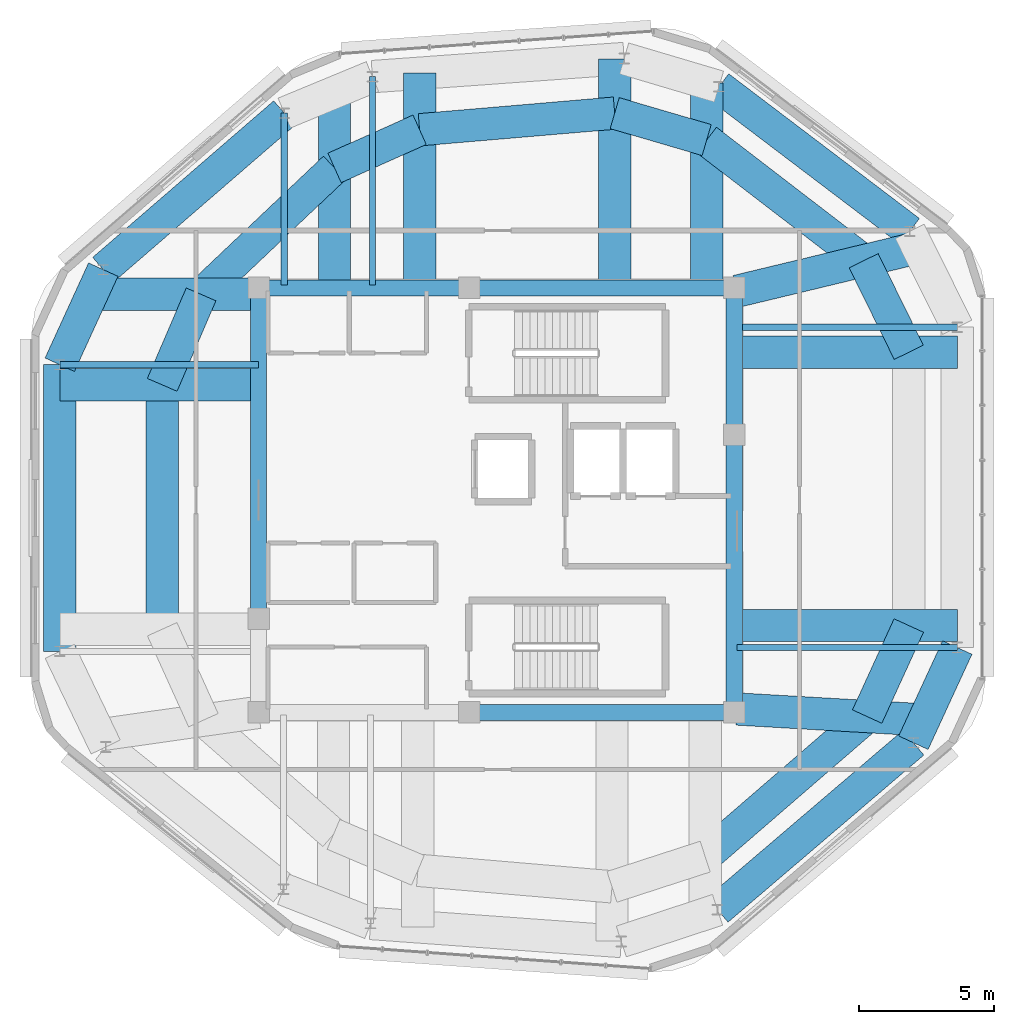
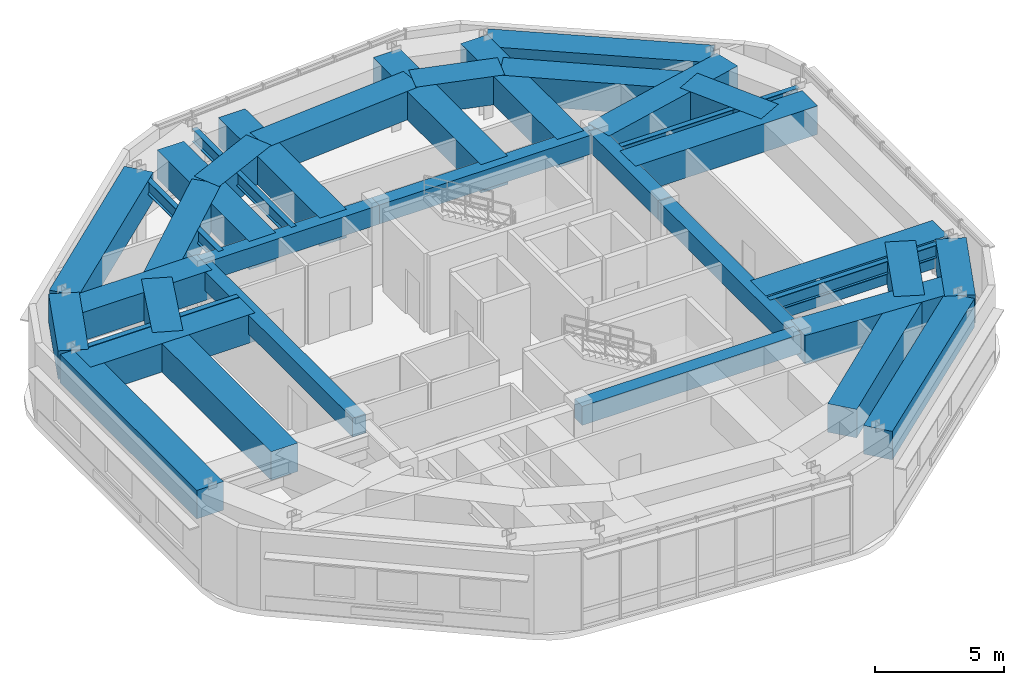
# One storey, part 5 of 12: 37 beams.
"""IFC4 building model written with IfcOpenShell, lengths in metres."""

from ifc_helpers import new_model, si_unit, direction, frame, origin, origin_2d, place, context, subcontext, project, spatial, rectangle, i_section, extrude, material, material_profile, profile_set, type_object, element, save


model = new_model("IFC4")

# Units and contexts
model_context = context("Model", 3, precision=1e-05, world=origin(), true_north=direction((0.0, 1.0)))
body_context = subcontext(model_context, "Body", "Model", "MODEL_VIEW")
ifc_project = project(units=[si_unit("LENGTHUNIT", "METRE"), si_unit("AREAUNIT", "SQUARE_METRE"), si_unit("VOLUMEUNIT", "CUBIC_METRE"), si_unit("PLANEANGLEUNIT", "RADIAN"), si_unit("MASSUNIT", "GRAM", prefix="KILO")], contexts=[model_context])

# Site, building, storey
site_placement = place(None, origin())
site = spatial("IfcSite", under=ifc_project, at=site_placement, CompositionType="ELEMENT")
building_placement = place(site_placement, origin())
building = spatial("IfcBuilding", under=site, at=building_placement, Name="Zulverin Broadcast Headquarters", CompositionType="ELEMENT")
storey_placement = place(building_placement, frame((0.0, 0.0, 325.39990234375)))
storey = spatial("IfcBuildingStorey", under=building, at=storey_placement, Name="C4", CompositionType="ELEMENT", Elevation=325.39990234375)

# Beams
ifc_material_1 = material(Name="Concrete C60/75", Category="concrete")
ifc_material_profile_1 = material_profile(ifc_material_1, rectangle(XDim=0.60009765625, YDim=0.89990234375, at=origin_2d()), Name="Concrete C60/75", Category="concrete")
ifc_profile_set_1 = profile_set([ifc_material_profile_1], Name="Concrete C60/75")
beam_type_1 = type_object("IfcBeamType", Name="BM-CB-600x900", PredefinedType="LINTEL", material=ifc_profile_set_1)
beam_1_placement = place(storey_placement, frame((38.449951171875, 17.324951171875, 3.27001953125), z_axis=(1.0, 0.0, 0.0), x_axis=(0.0, 1.0, 0.0)))
element("IfcBeam", 1, at=beam_1_placement, inside=storey, type_object=beam_type_1, Name="C4 Core Coupling Girder K02-K03", PredefinedType="LINTEL", context=body_context, shape_type="SweptSolid", body=[
    extrude(rectangle(XDim=0.60009765625, YDim=0.89990234375, at=origin_2d()), origin(), (0.0, 0.0, 1.0), 9.824951171875),
])
beam_2_placement = place(storey_placement, frame((48.27490234375, 17.324951171875, 3.27001953125), z_axis=(0.0, 1.0, 0.0), x_axis=(-1.0, 0.0, 0.0)))
element("IfcBeam", 2, at=beam_2_placement, inside=storey, type_object=beam_type_1, Name="C4 Core Coupling Girder K03-K04", PredefinedType="LINTEL", context=body_context, shape_type="SweptSolid", body=[
    extrude(rectangle(XDim=0.60009765625, YDim=0.89990234375, at=origin_2d()), origin(), (0.0, 0.0, 1.0), 10.295166015625),
])
beam_3_placement = place(storey_placement, frame((48.27490234375, 27.6201171875, 3.27001953125), z_axis=(0.0, 1.0, 0.0), x_axis=(-1.0, 0.0, 0.0)))
element("IfcBeam", 3, at=beam_3_placement, inside=storey, type_object=beam_type_1, Name="C4 Core Coupling Girder K04-K05", PredefinedType="LINTEL", context=body_context, shape_type="SweptSolid", body=[
    extrude(rectangle(XDim=0.60009765625, YDim=0.89990234375, at=origin_2d()), origin(), (0.0, 0.0, 1.0), 5.454833984375),
])
beam_4_placement = place(storey_placement, frame((48.27490234375, 33.074951171875, 3.27001953125), z_axis=(-1.0, 0.0, 0.0), x_axis=(0.0, -1.0, 0.0)))
element("IfcBeam", 4, at=beam_4_placement, inside=storey, type_object=beam_type_1, Name="C4 Core Coupling Girder K05-K06", PredefinedType="LINTEL", context=body_context, shape_type="SweptSolid", body=[
    extrude(rectangle(XDim=0.60009765625, YDim=0.89990234375, at=origin_2d()), origin(), (0.0, 0.0, 1.0), 9.824951171875),
])
beam_5_placement = place(storey_placement, frame((38.449951171875, 33.074951171875, 3.27001953125), z_axis=(-1.0, 0.0, 0.0), x_axis=(0.0, -1.0, 0.0)))
element("IfcBeam", 5, at=beam_5_placement, inside=storey, type_object=beam_type_1, Name="C4 Core Coupling Girder K06-K07", PredefinedType="LINTEL", context=body_context, shape_type="SweptSolid", body=[
    extrude(rectangle(XDim=0.60009765625, YDim=0.89990234375, at=origin_2d()), origin(), (0.0, 0.0, 1.0), 7.824951171875),
])
beam_6_placement = place(storey_placement, frame((30.625, 33.074951171875, 3.27001953125), z_axis=(0.0, -1.0, 0.0), x_axis=(1.0, 0.0, 0.0)))
element("IfcBeam", 6, at=beam_6_placement, inside=storey, type_object=beam_type_1, Name="C4 Core Coupling Girder K07-K08", PredefinedType="LINTEL", context=body_context, shape_type="SweptSolid", body=[
    extrude(rectangle(XDim=0.60009765625, YDim=0.89990234375, at=origin_2d()), origin(), (0.0, 0.0, 1.0), 12.27490234375),
])
ifc_material_2 = material(Name="Concrete C50/60", Category="concrete")
ifc_material_profile_2 = material_profile(ifc_material_2, rectangle(XDim=1.199951171875, YDim=1.35009765625, at=origin_2d()), Name="Concrete C50/60", Category="concrete")
ifc_profile_set_2 = profile_set([ifc_material_profile_2], Name="Concrete C50/60")
beam_type_2 = type_object("IfcBeamType", Name="BM-TG-CRN-1350", PredefinedType="USERDEFINED", material=ifc_profile_set_2)
beam_7_placement = place(storey_placement, frame((47.6552734375, 9.9970703125, 3.045166015625), z_axis=(0.760638685458, 0.649175469488, 0.0), x_axis=(-0.649175469488, 0.760638685458, 0.0)))
element("IfcBeam", 7, at=beam_7_placement, inside=storey, type_object=beam_type_2, Name="C4 Perimeter Transfer Ring Girder SP-03", ObjectType="TRANSFER GIRDER", PredefinedType="USERDEFINED", context=body_context, shape_type="SweptSolid", body=[
    extrude(rectangle(XDim=1.199951171875, YDim=1.35009765625, at=origin_2d()), origin(), (0.0, 0.0, 1.0), 9.552001953125),
])
beam_8_placement = place(storey_placement, frame((54.9208984375, 16.197998046875, 3.045166015625), z_axis=(0.418847206276, 0.908056726089, 0.0), x_axis=(-0.908056726089, 0.418847206276, 0.0)))
element("IfcBeam", 8, at=beam_8_placement, inside=storey, type_object=beam_type_2, Name="C4 Perimeter Transfer Ring Girder SP-04", ObjectType="TRANSFER GIRDER", PredefinedType="USERDEFINED", context=body_context, shape_type="SweptSolid", body=[
    extrude(rectangle(XDim=1.199951171875, YDim=1.35009765625, at=origin_2d()), origin(), (0.0, 0.0, 1.0), 3.8896484375),
])
beam_9_placement = place(storey_placement, frame((54.783203125, 35.1708984375, 3.045166015625), z_axis=(-0.796693096284, 0.604384075182, 0.0), x_axis=(-0.604384075182, -0.796693096284, 0.0)))
element("IfcBeam", 9, at=beam_9_placement, inside=storey, type_object=beam_type_2, Name="C4 Perimeter Transfer Ring Girder SP-07", ObjectType="TRANSFER GIRDER", PredefinedType="USERDEFINED", context=body_context, shape_type="SweptSolid", body=[
    extrude(rectangle(XDim=1.199951171875, YDim=1.35009765625, at=origin_2d()), origin(), (0.0, 0.0, 1.0), 8.8828125),
])
beam_10_placement = place(storey_placement, frame((31.581298828125, 39.558837890625, 3.045166015625), z_axis=(-0.756482279047, -0.654014190586, 0.0), x_axis=(0.654014190586, -0.756482279047, 0.0)))
element("IfcBeam", 10, at=beam_10_placement, inside=storey, type_object=beam_type_2, Name="C4 Perimeter Transfer Ring Girder SP-11", ObjectType="TRANSFER GIRDER", PredefinedType="USERDEFINED", context=body_context, shape_type="SweptSolid", body=[
    extrude(rectangle(XDim=1.199951171875, YDim=1.35009765625, at=origin_2d()), origin(), (0.0, 0.0, 1.0), 8.8798828125),
])
beam_11_placement = place(storey_placement, frame((24.86376953125, 33.751220703125, 3.045166015625), z_axis=(-0.415887631257, -0.909416009408, 0.0), x_axis=(0.909416009408, -0.415887631257, 0.0)))
element("IfcBeam", 11, at=beam_11_placement, inside=storey, type_object=beam_type_2, Name="C4 Perimeter Transfer Ring Girder SP-12", ObjectType="TRANSFER GIRDER", PredefinedType="USERDEFINED", context=body_context, shape_type="SweptSolid", body=[
    extrude(rectangle(XDim=1.199951171875, YDim=1.35009765625, at=origin_2d()), origin(), (0.0, 0.0, 1.0), 3.88037109375),
])
beam_12_placement = place(storey_placement, frame((23.25, 30.222412109375, 3.045166015625), z_axis=(0.0, -1.0, 0.0), x_axis=(1.0, 0.0, 0.0)))
element("IfcBeam", 12, at=beam_12_placement, inside=storey, type_object=beam_type_2, Name="C4 Perimeter Transfer Ring Girder SP-13", ObjectType="TRANSFER GIRDER", PredefinedType="USERDEFINED", context=body_context, shape_type="SweptSolid", body=[
    extrude(rectangle(XDim=1.199951171875, YDim=1.35009765625, at=origin_2d()), origin(), (0.0, 0.0, 1.0), 10.635009765625),
])
beam_13_placement = place(storey_placement, frame((47.196044921875, 11.973388671875, 3.045166015625), z_axis=(0.756481523052, 0.654015065026, 0.0), x_axis=(-0.654015065026, 0.756481523052, 0.0)))
element("IfcBeam", 13, at=beam_13_placement, inside=storey, type_object=beam_type_2, Name="C5 Step Transfer Ring Girder TGR-03", ObjectType="TRANSFER GIRDER", PredefinedType="USERDEFINED", context=body_context, shape_type="SweptSolid", body=[
    extrude(rectangle(XDim=1.199951171875, YDim=1.35009765625, at=origin_2d()), origin(), (0.0, 0.0, 1.0), 7.943603515625),
])
beam_14_placement = place(storey_placement, frame((48.375, 17.449951171875, 3.045166015625), z_axis=(0.998310048383, -0.058112367848, 0.0), x_axis=(0.058112367848, 0.998310048383, 0.0)))
element("IfcBeam", 14, at=beam_14_placement, inside=storey, type_object=beam_type_2, Name="C5 Step Transfer Girder TG-04", ObjectType="TRANSFER GIRDER", PredefinedType="USERDEFINED", context=body_context, shape_type="SweptSolid", body=[
    extrude(rectangle(XDim=1.199951171875, YDim=1.35009765625, at=origin_2d()), origin(), (0.0, 0.0, 1.0), 6.94873046875),
])
beam_15_placement = place(storey_placement, frame((53.205322265625, 17.168701171875, 3.045166015625), z_axis=(0.41591666127, 0.90940273305, 0.0), x_axis=(-0.90940273305, 0.41591666127, 0.0)))
element("IfcBeam", 15, at=beam_15_placement, inside=storey, type_object=beam_type_2, Name="C5 Step Transfer Ring Girder TGR-04", ObjectType="TRANSFER GIRDER", PredefinedType="USERDEFINED", context=body_context, shape_type="SweptSolid", body=[
    extrude(rectangle(XDim=1.199951171875, YDim=1.35009765625, at=origin_2d()), origin(), (0.0, 0.0, 1.0), 3.7138671875),
])
for number, where, z_axis, x_axis, name in (
    (16, (48.375, 20.546142578125, 3.045166015625), (1.0, 0.0, 0.0), (0.0, 1.0, 0.0), "C5 Step Transfer Girder TG-05"),
    (17, (48.375, 30.683837890625, 3.045166015625), (1.0, 0.0, 0.0), (0.0, 1.0, 0.0), "C5 Step Transfer Girder TG-06"),
):
    element("IfcBeam", number, at=place(storey_placement, frame(where, z_axis=z_axis, x_axis=x_axis)), inside=storey, type_object=beam_type_2, Name=name, ObjectType="TRANSFER GIRDER", PredefinedType="USERDEFINED", context=body_context, shape_type="SweptSolid", body=[
        extrude(rectangle(XDim=1.199951171875, YDim=1.35009765625, at=origin_2d()), origin(), (0.0, 0.0, 1.0), 8.175048828125),
    ])
beam_16_placement = place(storey_placement, frame((54.75, 30.683837890625, 3.045166015625), z_axis=(-0.441945069456, 0.897042114721, 0.0), x_axis=(-0.897042114721, -0.441945069456, 0.0)))
element("IfcBeam", 18, at=beam_16_placement, inside=storey, type_object=beam_type_2, Name="C5 Step Transfer Ring Girder TGR-06", ObjectType="TRANSFER GIRDER", PredefinedType="USERDEFINED", context=body_context, shape_type="SweptSolid", body=[
    extrude(rectangle(XDim=1.199951171875, YDim=1.35009765625, at=origin_2d()), origin(), (0.0, 0.0, 1.0), 3.786865234375),
])
beam_17_placement = place(storey_placement, frame((48.375, 32.949951171875, 3.045166015625), z_axis=(0.972266107943, 0.233877351076, 0.0), x_axis=(-0.233877351076, 0.972266107943, 0.0)))
element("IfcBeam", 19, at=beam_17_placement, inside=storey, type_object=beam_type_2, Name="C5 Step Transfer Girder TG-07", ObjectType="TRANSFER GIRDER", PredefinedType="USERDEFINED", context=body_context, shape_type="SweptSolid", body=[
    extrude(rectangle(XDim=1.199951171875, YDim=1.35009765625, at=origin_2d()), origin(), (0.0, 0.0, 1.0), 6.901123046875),
])
beam_18_placement = place(storey_placement, frame((53.076416015625, 34.080810546875, 3.045166015625), z_axis=(-0.792906793207, 0.609342938981, 0.0), x_axis=(-0.609342938981, -0.792906793207, 0.0)))
element("IfcBeam", 20, at=beam_18_placement, inside=storey, type_object=beam_type_2, Name="C5 Step Transfer Ring Girder TGR-07", ObjectType="TRANSFER GIRDER", PredefinedType="USERDEFINED", context=body_context, shape_type="SweptSolid", body=[
    extrude(rectangle(XDim=1.199951171875, YDim=1.35009765625, at=origin_2d()), origin(), (0.0, 0.0, 1.0), 7.346923828125),
])
beam_19_placement = place(storey_placement, frame((47.2509765625, 33.175048828125, 3.045166015625), z_axis=(0.0, 1.0, 0.0), x_axis=(-1.0, 0.0, 0.0)))
element("IfcBeam", 21, at=beam_19_placement, inside=storey, type_object=beam_type_2, Name="C5 Step Transfer Girder TG-08", ObjectType="TRANSFER GIRDER", PredefinedType="USERDEFINED", context=body_context, shape_type="SweptSolid", body=[
    extrude(rectangle(XDim=1.199951171875, YDim=1.35009765625, at=origin_2d()), origin(), (0.0, 0.0, 1.0), 7.499755859375),
])
beam_20_placement = place(storey_placement, frame((47.2509765625, 38.5576171875, 3.045166015625), z_axis=(-0.959638451128, 0.281236631888, 0.0), x_axis=(-0.281236631888, -0.959638451128, 0.0)))
element("IfcBeam", 22, at=beam_20_placement, inside=storey, type_object=beam_type_2, Name="C5 Step Transfer Ring Girder TGR-08", ObjectType="TRANSFER GIRDER", PredefinedType="USERDEFINED", context=body_context, shape_type="SweptSolid", body=[
    extrude(rectangle(XDim=1.199951171875, YDim=1.35009765625, at=origin_2d()), origin(), (0.0, 0.0, 1.0), 3.554931640625),
])
beam_21_placement = place(storey_placement, frame((43.839599609375, 33.175048828125, 3.045166015625), z_axis=(0.0, 1.0, 0.0), x_axis=(-1.0, 0.0, 0.0)))
element("IfcBeam", 23, at=beam_21_placement, inside=storey, type_object=beam_type_2, Name="C5 Step Transfer Girder TG-09", ObjectType="TRANSFER GIRDER", PredefinedType="USERDEFINED", context=body_context, shape_type="SweptSolid", body=[
    extrude(rectangle(XDim=1.199951171875, YDim=1.35009765625, at=origin_2d()), origin(), (0.0, 0.0, 1.0), 8.38330078125),
])
beam_22_placement = place(storey_placement, frame((43.839599609375, 39.557373046875, 3.045166015625), z_axis=(-0.996389906425, -0.084894960827, 0.0), x_axis=(0.084894960827, -0.996389906425, 0.0)))
element("IfcBeam", 24, at=beam_22_placement, inside=storey, type_object=beam_type_2, Name="C5 Step Transfer Ring Girder TGR-09", ObjectType="TRANSFER GIRDER", PredefinedType="USERDEFINED", context=body_context, shape_type="SweptSolid", body=[
    extrude(rectangle(XDim=1.199951171875, YDim=1.35009765625, at=origin_2d()), origin(), (0.0, 0.0, 1.0), 7.26416015625),
])
beam_23_placement = place(storey_placement, frame((36.6015625, 33.175048828125, 3.045166015625), z_axis=(0.0, 1.0, 0.0), x_axis=(-1.0, 0.0, 0.0)))
element("IfcBeam", 25, at=beam_23_placement, inside=storey, type_object=beam_type_2, Name="C5 Step Transfer Girder TG-10", ObjectType="TRANSFER GIRDER", PredefinedType="USERDEFINED", context=body_context, shape_type="SweptSolid", body=[
    extrude(rectangle(XDim=1.199951171875, YDim=1.35009765625, at=origin_2d()), origin(), (0.0, 0.0, 1.0), 7.862548828125),
])
beam_24_placement = place(storey_placement, frame((36.6015625, 38.940673828125, 3.045166015625), z_axis=(-0.912359384354, -0.409390221893, 0.0), x_axis=(0.409390221893, -0.912359384354, 0.0)))
element("IfcBeam", 26, at=beam_24_placement, inside=storey, type_object=beam_type_2, Name="C5 Step Transfer Ring Girder TGR-10", ObjectType="TRANSFER GIRDER", PredefinedType="USERDEFINED", context=body_context, shape_type="SweptSolid", body=[
    extrude(rectangle(XDim=1.199951171875, YDim=1.35009765625, at=origin_2d()), origin(), (0.0, 0.0, 1.0), 3.45947265625),
])
beam_25_placement = place(storey_placement, frame((33.4453125, 33.175048828125, 3.045166015625), z_axis=(0.0, 1.0, 0.0), x_axis=(-1.0, 0.0, 0.0)))
element("IfcBeam", 27, at=beam_25_placement, inside=storey, type_object=beam_type_2, Name="C5 Step Transfer Girder TG-11", ObjectType="TRANSFER GIRDER", PredefinedType="USERDEFINED", context=body_context, shape_type="SweptSolid", body=[
    extrude(rectangle(XDim=1.199951171875, YDim=1.35009765625, at=origin_2d()), origin(), (0.0, 0.0, 1.0), 7.155029296875),
])
beam_26_placement = place(storey_placement, frame((33.4453125, 37.5244140625, 3.045166015625), z_axis=(-0.725889672936, -0.687811153388, 0.0), x_axis=(0.687811153388, -0.725889672936, 0.0)))
element("IfcBeam", 28, at=beam_26_placement, inside=storey, type_object=beam_type_2, Name="C5 Step Transfer Ring Girder TGR-11", ObjectType="TRANSFER GIRDER", PredefinedType="USERDEFINED", context=body_context, shape_type="SweptSolid", body=[
    extrude(rectangle(XDim=1.199951171875, YDim=1.35009765625, at=origin_2d()), origin(), (0.0, 0.0, 1.0), 6.82177734375),
])
beam_27_placement = place(storey_placement, frame((30.625, 32.832275390625, 3.045166015625), z_axis=(-1.0, 0.0, 0.0), x_axis=(0.0, -1.0, 0.0)))
element("IfcBeam", 29, at=beam_27_placement, inside=storey, type_object=beam_type_2, Name="C5 Step Transfer Girder TG-12", ObjectType="TRANSFER GIRDER", PredefinedType="USERDEFINED", context=body_context, shape_type="SweptSolid", body=[
    extrude(rectangle(XDim=1.199951171875, YDim=1.35009765625, at=origin_2d()), origin(), (0.0, 0.0, 1.0), 6.181396484375),
])
beam_28_placement = place(storey_placement, frame((28.493408203125, 32.832275390625, 3.045166015625), z_axis=(-0.395048052445, -0.918660457546, 0.0), x_axis=(0.918660457546, -0.395048052445, 0.0)))
element("IfcBeam", 30, at=beam_28_placement, inside=storey, type_object=beam_type_2, Name="C5 Step Transfer Ring Girder TGR-12", ObjectType="TRANSFER GIRDER", PredefinedType="USERDEFINED", context=body_context, shape_type="SweptSolid", body=[
    extrude(rectangle(XDim=1.199951171875, YDim=1.35009765625, at=origin_2d()), origin(), (0.0, 0.0, 1.0), 3.653564453125),
])
beam_29_placement = place(storey_placement, frame((30.625, 29.475830078125, 3.045166015625), z_axis=(-1.0, 0.0, 0.0), x_axis=(0.0, -1.0, 0.0)))
element("IfcBeam", 31, at=beam_29_placement, inside=storey, type_object=beam_type_2, Name="C5 Step Transfer Girder TG-13", ObjectType="TRANSFER GIRDER", PredefinedType="USERDEFINED", context=body_context, shape_type="SweptSolid", body=[
    extrude(rectangle(XDim=1.199951171875, YDim=1.35009765625, at=origin_2d()), origin(), (0.0, 0.0, 1.0), 7.375),
])
beam_30_placement = place(storey_placement, frame((27.050048828125, 29.475830078125, 3.045166015625), z_axis=(0.0, -1.0, 0.0), x_axis=(1.0, 0.0, 0.0)))
element("IfcBeam", 32, at=beam_30_placement, inside=storey, type_object=beam_type_2, Name="C5 Step Transfer Ring Girder TGR-13", ObjectType="TRANSFER GIRDER", PredefinedType="USERDEFINED", context=body_context, shape_type="SweptSolid", body=[
    extrude(rectangle(XDim=1.199951171875, YDim=1.35009765625, at=origin_2d()), origin(), (0.0, 0.0, 1.0), 9.067138671875),
])
ifc_material_3 = material(Name="Structural steel S355JR", Category="steel")
ifc_material_profile_3 = material_profile(ifc_material_3, i_section(OverallWidth=0.230224609375, OverallDepth=0.6171875, WebThickness=0.01318359375, FlangeThickness=0.022216796875, at=origin_2d()), Name="Structural steel S355JR", Category="steel")
ifc_profile_set_3 = profile_set([ifc_material_profile_3], Name="Structural steel S355JR")
beam_type_3 = type_object("IfcBeamType", Name="BM-UB-610", PredefinedType="BEAM", material=ifc_profile_set_3)
for number, where, z_axis, x_axis, name in (
    (33, (48.375, 19.72998046875, 3.411376953125), (1.0, 0.0, 0.0), (0.0, 1.0, 0.0), "C4 Radial Primary Floor Beam RB-05"),
    (34, (48.375, 31.613037109375, 3.411376953125), (1.0, 0.0, 0.0), (0.0, 1.0, 0.0), "C4 Radial Primary Floor Beam RB-06"),
):
    element("IfcBeam", number, at=place(storey_placement, frame(where, z_axis=z_axis, x_axis=x_axis)), inside=storey, type_object=beam_type_3, Name=name, PredefinedType="BEAM", context=body_context, shape_type="SweptSolid", body=[
        extrude(i_section(OverallWidth=0.230224609375, OverallDepth=0.6171875, WebThickness=0.01318359375, FlangeThickness=0.022216796875, at=origin_2d()), origin(), (0.0, 0.0, 1.0), 8.175048828125),
    ])
beam_31_placement = place(storey_placement, frame((34.85009765625, 33.175048828125, 3.411376953125), z_axis=(0.0, 1.0, 0.0), x_axis=(-1.0, 0.0, 0.0)))
element("IfcBeam", 35, at=beam_31_placement, inside=storey, type_object=beam_type_3, Name="C4 Radial Primary Floor Beam RB-10", PredefinedType="BEAM", context=body_context, shape_type="SweptSolid", body=[
    extrude(i_section(OverallWidth=0.230224609375, OverallDepth=0.6171875, WebThickness=0.01318359375, FlangeThickness=0.022216796875, at=origin_2d()), origin(), (0.0, 0.0, 1.0), 7.736572265625),
])
beam_32_placement = place(storey_placement, frame((31.581298828125, 33.175048828125, 3.411376953125), z_axis=(0.0, 1.0, 0.0), x_axis=(-1.0, 0.0, 0.0)))
element("IfcBeam", 36, at=beam_32_placement, inside=storey, type_object=beam_type_3, Name="C4 Radial Primary Floor Beam RB-11", PredefinedType="BEAM", context=body_context, shape_type="SweptSolid", body=[
    extrude(i_section(OverallWidth=0.230224609375, OverallDepth=0.6171875, WebThickness=0.01318359375, FlangeThickness=0.022216796875, at=origin_2d()), origin(), (0.0, 0.0, 1.0), 6.3837890625),
])
beam_33_placement = place(storey_placement, frame((30.625, 30.222412109375, 3.411376953125), z_axis=(-1.0, 0.0, 0.0), x_axis=(0.0, -1.0, 0.0)))
element("IfcBeam", 37, at=beam_33_placement, inside=storey, type_object=beam_type_3, Name="C4 Radial Primary Floor Beam RB-13", PredefinedType="BEAM", context=body_context, shape_type="SweptSolid", body=[
    extrude(i_section(OverallWidth=0.230224609375, OverallDepth=0.6171875, WebThickness=0.01318359375, FlangeThickness=0.022216796875, at=origin_2d()), origin(), (0.0, 0.0, 1.0), 7.375),
])

save(model, "model.ifc")
